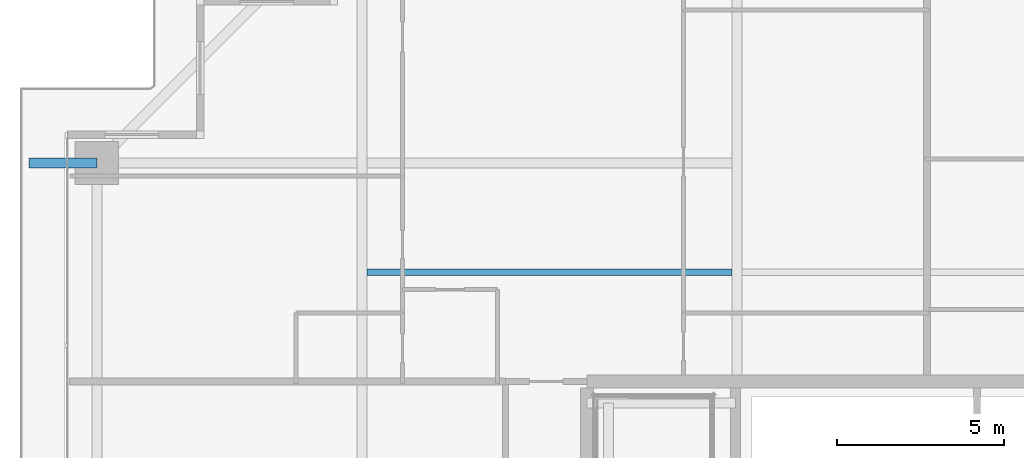
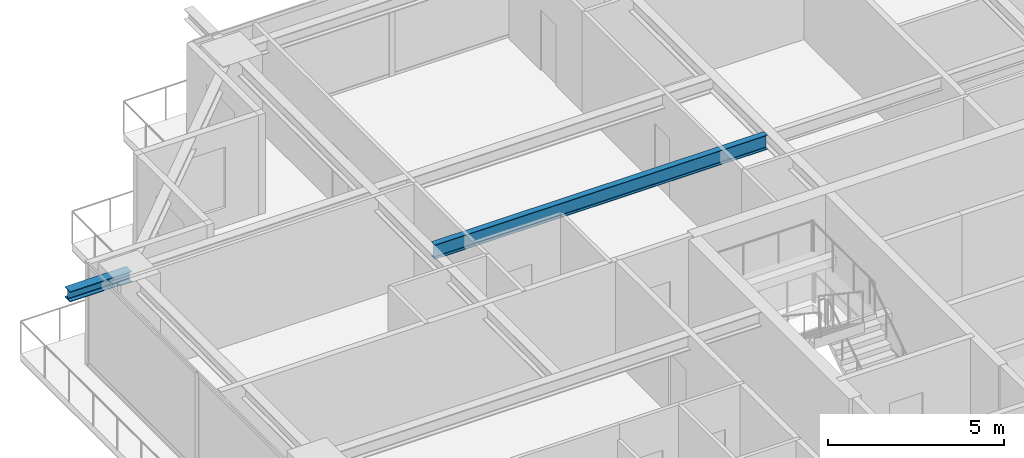
# One storey, part 17 of 36: 2 beams.
"""IFC4 building model written with IfcOpenShell, lengths in metres."""

from ifc_helpers import new_model, si_unit, direction, frame, origin, origin_2d, place, context, subcontext, project, spatial, i_section, extrude, source, transform, mapped, material, material_profile, profile_set, type_object, element, save


model = new_model("IFC4")

# Units and contexts
model_context = context("Model", 3, precision=1e-05, world=origin(), true_north=direction((0.0, 1.0)))
body_context = subcontext(model_context, "Body", "Model", "MODEL_VIEW")
ifc_project = project(units=[si_unit("LENGTHUNIT", "METRE"), si_unit("AREAUNIT", "SQUARE_METRE"), si_unit("VOLUMEUNIT", "CUBIC_METRE"), si_unit("PLANEANGLEUNIT", "RADIAN"), si_unit("MASSUNIT", "GRAM", prefix="KILO")], contexts=[model_context])

# Site, building, storey
site_placement = place(None, origin())
site = spatial("IfcSite", under=ifc_project, at=site_placement, CompositionType="ELEMENT")
building_placement = place(site_placement, origin())
building = spatial("IfcBuilding", under=site, at=building_placement, Name="Serunith Strait Residences", CompositionType="ELEMENT")
storey_placement = place(building_placement, frame((0.0, 0.0, 146.39990234375)))
storey = spatial("IfcBuildingStorey", under=building, at=storey_placement, Name="L36", CompositionType="ELEMENT", Elevation=146.39990234375)

# Beams
ifc_material = material(Name="Steel S355J2", Category="steel")
ifc_material_profile_1 = material_profile(ifc_material, i_section(OverallWidth=0.199951171875, OverallDepth=0.5, WebThickness=0.01025390625, FlangeThickness=0.01611328125, FilletRadius=0.02099609375, at=origin_2d()), Name="IPE 500")
ifc_profile_set_1 = profile_set([ifc_material_profile_1], Name="Steel S355J2")
beam_type_1 = type_object("IfcBeamType", Name="BM-IPE500", PredefinedType="JOIST", material=ifc_profile_set_1)
shared_shape_1 = source(origin(), body_context, "Body", "SweptSolid", [
    extrude(i_section(OverallWidth=0.199951171875, OverallDepth=0.5, WebThickness=0.01025390625, FlangeThickness=0.01611328125, FilletRadius=0.02099609375, at=origin_2d()), origin(), (0.0, 0.0, 1.0), 10.949951171875),
])
beam_1_placement = place(storey_placement, frame((16.800048828125, 36.875, 3.237060546875), z_axis=(1.0, 0.0, 0.0), x_axis=(0.0, 1.0, 0.0)))
element("IfcBeam", 1, at=beam_1_placement, inside=storey, type_object=beam_type_1, Name="L36 Composite Floor Joist 04", PredefinedType="JOIST", context=body_context, shape_type="MappedRepresentation", body=[
    mapped(shared_shape_1, transform((0.0, 0.0, 0.0), scale=1.0)),
])
ifc_material_profile_2 = material_profile(ifc_material, i_section(OverallWidth=0.300048828125, OverallDepth=0.360107421875, WebThickness=0.012451171875, FlangeThickness=0.0224609375, FilletRadius=0.027099609375, at=origin_2d()), Name="HEB 360")
ifc_profile_set_2 = profile_set([ifc_material_profile_2], Name="Steel S355J2")
beam_type_2 = type_object("IfcBeamType", Name="BM-HEB360", PredefinedType="BEAM", material=ifc_profile_set_2)
shared_shape_2 = source(origin(), body_context, "Body", "SweptSolid", [
    extrude(i_section(OverallWidth=0.300048828125, OverallDepth=0.360107421875, WebThickness=0.012451171875, FlangeThickness=0.0224609375, FilletRadius=0.027099609375, at=origin_2d()), origin(), (0.0, 0.0, 1.0), 2.030029296875),
])
beam_2_placement = place(storey_placement, frame((8.699951171875, 40.14990234375, 3.277099609375), z_axis=(-1.0, 0.0, 0.0), x_axis=(0.0, -1.0, 0.0)))
element("IfcBeam", 2, at=beam_2_placement, inside=storey, type_object=beam_type_2, Name="L37 Cantilevered Balcony Rib TC-W4", PredefinedType="BEAM", context=body_context, shape_type="MappedRepresentation", body=[
    mapped(shared_shape_2, transform((0.0, 0.0, 0.0), scale=1.0)),
])

save(model, "model.ifc")
